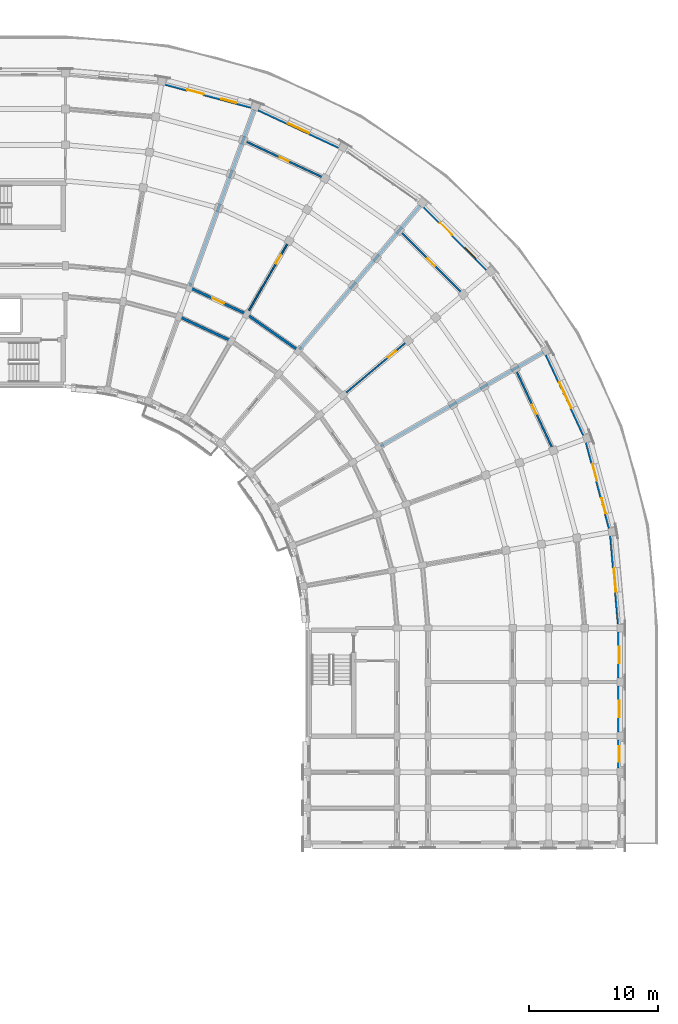
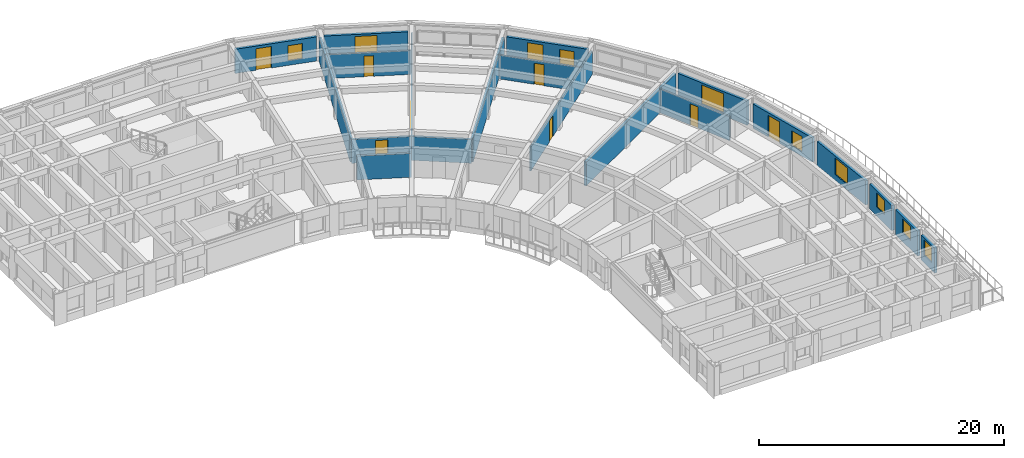
# One storey, part 34 of 53: 20 walls, 9 doors, 9 windows, 18 openings.
"""IFC4 building model written with IfcOpenShell, lengths in metres."""

from ifc_helpers import new_model, si_unit, direction, frame, frame_2d, origin, place, context, subcontext, project, spatial, rectangle, extrude, material, layer, layer_set, type_object, element, fill, save


model = new_model("IFC4")

# Units and contexts
model_context = context("Model", 3, precision=1e-05, world=origin(), true_north=direction((0.0, 1.0)))
body_context = subcontext(model_context, "Body", "Model", "MODEL_VIEW")
ifc_project = project(units=[si_unit("LENGTHUNIT", "METRE"), si_unit("AREAUNIT", "SQUARE_METRE"), si_unit("VOLUMEUNIT", "CUBIC_METRE"), si_unit("PLANEANGLEUNIT", "RADIAN"), si_unit("MASSUNIT", "GRAM", prefix="KILO")], contexts=[model_context])

# Site, building, storey
site_placement = place(None, origin())
site = spatial("IfcSite", under=ifc_project, at=site_placement, CompositionType="ELEMENT")
building_placement = place(site_placement, origin())
building = spatial("IfcBuilding", under=site, at=building_placement, Name="Kiranvali Square Residences", CompositionType="ELEMENT")
storey_placement = place(building_placement, frame((0.0, 0.0, 30.75)))
storey = spatial("IfcBuildingStorey", under=building, at=storey_placement, Name="L09", CompositionType="ELEMENT", Elevation=30.75)

# Wall
ifc_material_1 = material(Name="Autoclaved aerated concrete blockwork masonry", Category="masonry")
ifc_layer_1 = layer(ifc_material_1, 0.199951171875)
ifc_layer_set_1 = layer_set([ifc_layer_1], Name="Autoclaved aerated concrete blockwork masonry")
wall_type_1 = type_object("IfcWallType", Name="WL-COR-200", PredefinedType="STANDARD", material=ifc_layer_set_1)
wall_1_placement = place(storey_placement, frame((128.6240234375, 112.044189453125, 0.0), z_axis=(0.0, 0.0, 1.0), x_axis=(0.906307919131, -0.422617978463, 0.0)))
element("IfcWall", 1, at=wall_1_placement, inside=storey, type_object=wall_type_1, Name="L09 architectural wall WL-L09-B-CCI-2", PredefinedType="STANDARD", context=body_context, shape_type="SweptSolid", body=[
    extrude(rectangle(XDim=4.497314453125, YDim=0.199951171875, at=frame_2d((2.24853515625, 0.0))), origin(), (0.0, 0.0, 1.0), 2.3720703125),
])

# Wall, opening, door
wall_2_placement = place(storey_placement, frame((129.445068359375, 114.29931640625, 0.0), z_axis=(0.0, 0.0, 1.0), x_axis=(0.906302381024, -0.422629854778, 0.0)))
wall_2 = element("IfcWall", 2, at=wall_2_placement, inside=storey, type_object=wall_type_1, Name="L09 architectural wall WL-L09-B-CCO-2", PredefinedType="STANDARD", context=body_context, shape_type="SweptSolid", body=[
    extrude(rectangle(XDim=4.915283203125, YDim=0.199951171875, at=frame_2d((2.45751953125, 0.0))), origin(), (0.0, 0.0, 1.0), 2.3720703125),
])
opening_1_placement = place(wall_2_placement, frame((1.957763671875, 0.0, 0.0)))
opening_1 = element("IfcOpeningElement", 3, at=opening_1_placement, cuts=wall_2, Name="Opening FD-APT-60", PredefinedType="OPENING", context=body_context, shape_type="SweptSolid", body=[
    extrude(rectangle(XDim=1.0, YDim=2.14990234375, at=frame_2d((0.5, 1.074951171875))), frame((0.0, 0.10986328125, 0.0), z_axis=(0.0, -1.0, 0.0), x_axis=(1.0, 0.0, 0.0)), (0.0, 0.0, 1.0), 0.219970703125),
])
ifc_material_2 = material(Name="Fire-rated acoustic hardwood and mineral-core door assembly", Category="wood")
door_type_1 = type_object("IfcDoorType", Name="DR-APT-1000", OperationType="NOTDEFINED", PredefinedType="DOOR", material=ifc_material_2)
door_1_placement = place(opening_1_placement, origin())
door_1 = element("IfcDoor", 4, at=door_1_placement, inside=storey, type_object=door_type_1, Name="L09 door DR-L09-1553 (DR-APT-1000)", OperationType="SINGLE_SWING_LEFT", OverallHeight=2.14990234375, OverallWidth=1.0, PredefinedType="DOOR", context=body_context, shape_type="SweptSolid", body=[
    extrude(rectangle(XDim=1.0, YDim=2.14990234375, at=frame_2d((0.5, 1.074951171875))), frame((0.0, 0.02490234375, 0.0), z_axis=(0.0, -1.0, 0.0), x_axis=(1.0, 0.0, 0.0)), (0.0, 0.0, 1.0), 0.050048828125),
])
fill(opening_1, door_1)

# Walls
wall_3_placement = place(storey_placement, frame((133.89990234375, 112.221923828125, 0.0), z_axis=(0.0, 0.0, 1.0), x_axis=(0.819140911474, -0.573592335331, 0.0)))
element("IfcWall", 5, at=wall_3_placement, inside=storey, type_object=wall_type_1, Name="L09 architectural wall WL-L09-B-CCO-3", PredefinedType="STANDARD", context=body_context, shape_type="SweptSolid", body=[
    extrude(rectangle(XDim=4.915771484375, YDim=0.199951171875, at=frame_2d((2.4580078125, 0.0))), origin(), (0.0, 0.0, 1.0), 2.3720703125),
])
ifc_layer_2 = layer(ifc_material_1, 0.219970703125)
ifc_layer_set_2 = layer_set([ifc_layer_2], Name="Autoclaved aerated concrete blockwork masonry")
wall_type_2 = type_object("IfcWallType", Name="WL-DEM-220", PredefinedType="STANDARD", material=ifc_layer_set_2)
wall_4_placement = place(storey_placement, frame((129.479248046875, 114.393310546875, 0.0), z_axis=(0.0, 0.0, 1.0), x_axis=(0.342015232663, 0.939694408106, 0.0)))
element("IfcWall", 6, at=wall_4_placement, inside=storey, type_object=wall_type_2, Name="L09 architectural wall WL-L09-B-RADO-2", PredefinedType="STANDARD", context=body_context, shape_type="SweptSolid", body=[
    extrude(rectangle(XDim=14.619873046875, YDim=0.219970703125, at=frame_2d((7.31005859375, 0.0))), origin(), (0.0, 0.0, 1.0), 2.3720703125),
])
wall_5_placement = place(storey_placement, frame((137.990966796875, 109.47900390625, 0.0), z_axis=(0.0, 0.0, 1.0), x_axis=(0.642779216656, 0.76605148563, 0.0)))
element("IfcWall", 7, at=wall_5_placement, inside=storey, type_object=wall_type_2, Name="L09 architectural wall WL-L09-B-RADO-4", PredefinedType="STANDARD", context=body_context, shape_type="SweptSolid", body=[
    extrude(rectangle(XDim=14.6201171875, YDim=0.219970703125, at=frame_2d((7.31005859375, 0.0))), origin(), (0.0, 0.0, 1.0), 2.3720703125),
])
wall_6_placement = place(storey_placement, frame((144.30859375, 101.949951171875, 0.0), z_axis=(0.0, 0.0, 1.0), x_axis=(0.866020956416, 0.500007702989, 0.0)))
element("IfcWall", 8, at=wall_6_placement, inside=storey, type_object=wall_type_2, Name="L09 architectural wall WL-L09-B-RADO-6", PredefinedType="STANDARD", context=body_context, shape_type="SweptSolid", body=[
    extrude(rectangle(XDim=14.619873046875, YDim=0.219970703125, at=frame_2d((7.31005859375, 0.0))), origin(), (0.0, 0.0, 1.0), 2.3720703125),
])

# Wall, openings, door, window
ifc_material_3 = material(Name="Breathable lime-rendered clay brick masonry", Category="masonry")
ifc_layer_3 = layer(ifc_material_3, 0.25)
ifc_layer_set_3 = layer_set([ifc_layer_3], Name="Breathable lime-rendered clay brick masonry")
wall_type_3 = type_object("IfcWallType", Name="WL-EXT-250", PredefinedType="STANDARD", material=ifc_layer_set_3)
wall_7_placement = place(storey_placement, frame((127.583740234375, 130.138671875, 0.0), z_axis=(0.0, 0.0, 1.0), x_axis=(0.965921436109, -0.258835428922, 0.0)))
wall_7 = element("IfcWall", 9, at=wall_7_placement, inside=storey, type_object=wall_type_3, Name="L09 exterior wall B-L09-CRV-01", PredefinedType="STANDARD", context=body_context, shape_type="SweptSolid", body=[
    extrude(rectangle(XDim=6.87890625, YDim=0.25, at=frame_2d((3.439453125, 0.0))), origin(), (0.0, 0.0, 1.0), 2.412109375),
])
opening_2_placement = place(wall_7_placement, frame((4.478759765625, 0.0, 0.4619140625)))
opening_2 = element("IfcOpeningElement", 10, at=opening_2_placement, cuts=wall_7, Name="Opening W-06", PredefinedType="OPENING", context=body_context, shape_type="SweptSolid", body=[
    extrude(rectangle(XDim=1.199951171875, YDim=1.5, at=frame_2d((0.60009765625, 0.75))), frame((0.0, 0.135009765625, 0.0), z_axis=(0.0, -1.0, 0.0), x_axis=(1.0, 0.0, 0.0)), (0.0, 0.0, 1.0), 0.27001953125),
])
opening_3_placement = place(wall_7_placement, frame((1.74755859375, 0.0, 0.0)))
opening_3 = element("IfcOpeningElement", 11, at=opening_3_placement, cuts=wall_7, Name="Opening ED-BAL-3", PredefinedType="OPENING", context=body_context, shape_type="SweptSolid", body=[
    extrude(rectangle(XDim=1.320068359375, YDim=2.14990234375, at=frame_2d((0.66015625, 1.074951171875))), frame((0.0, 0.135009765625, 0.0), z_axis=(0.0, -1.0, 0.0), x_axis=(1.0, 0.0, 0.0)), (0.0, 0.0, 1.0), 0.27001953125),
])
ifc_material_4 = material(Name="Anodised bronze aluminium framing", Category="aluminium")
door_type_2 = type_object("IfcDoorType", Name="DR-BAL-1320", OperationType="NOTDEFINED", PredefinedType="DOOR", material=ifc_material_4)
door_2_placement = place(opening_3_placement, origin())
door_2 = element("IfcDoor", 12, at=door_2_placement, inside=storey, type_object=door_type_2, Name="L09 balcony terrace door", OperationType="SINGLE_SWING_LEFT", OverallHeight=2.14990234375, OverallWidth=1.320068359375, PredefinedType="DOOR", context=body_context, shape_type="SweptSolid", body=[
    extrude(rectangle(XDim=1.320068359375, YDim=2.14990234375, at=frame_2d((0.66015625, 1.074951171875))), frame((0.0, 0.02490234375, 0.0), z_axis=(0.0, -1.0, 0.0), x_axis=(1.0, 0.0, 0.0)), (0.0, 0.0, 1.0), 0.050048828125),
])
fill(opening_3, door_2)
ifc_material_5 = material(Name="Solar-control low-e double glazing", Category="glass")
window_type_1 = type_object("IfcWindowType", Name="WIN-RES-1200x1500", PartitioningType="SINGLE_PANEL", PredefinedType="WINDOW", material=ifc_material_5)
window_1_placement = place(opening_2_placement, origin())
window_1 = element("IfcWindow", 13, at=window_1_placement, inside=storey, type_object=window_type_1, Name="L09 recessed window B-L09-CRV-01", OverallHeight=1.5, OverallWidth=1.199951171875, PartitioningType="SINGLE_PANEL", PredefinedType="WINDOW", context=body_context, shape_type="SweptSolid", body=[
    extrude(rectangle(XDim=1.199951171875, YDim=1.5, at=frame_2d((0.60009765625, 0.75))), frame((0.0, 0.030029296875, 0.0), z_axis=(0.0, -1.0, 0.0), x_axis=(1.0, 0.0, 0.0)), (0.0, 0.0, 1.0), 0.06005859375),
])
fill(opening_2, window_1)

# Wall, opening, window
wall_8_placement = place(storey_placement, frame((134.817626953125, 128.143798828125, 0.0), z_axis=(0.0, 0.0, 1.0), x_axis=(0.906302789289, -0.422628979279, 0.0)))
wall_8 = element("IfcWall", 14, at=wall_8_placement, inside=storey, type_object=wall_type_3, Name="L09 exterior wall B-L09-CRV-02", PredefinedType="STANDARD", context=body_context, shape_type="SweptSolid", body=[
    extrude(rectangle(XDim=6.87890625, YDim=0.25, at=frame_2d((3.439453125, 0.0))), origin(), (0.0, 0.0, 1.0), 2.412109375),
])
opening_4_placement = place(wall_8_placement, frame((2.53955078125, 0.0, 0.56201171875)))
opening_4 = element("IfcOpeningElement", 15, at=opening_4_placement, cuts=wall_8, Name="Opening W-04", PredefinedType="OPENING", context=body_context, shape_type="SweptSolid", body=[
    extrude(rectangle(XDim=1.800048828125, YDim=1.64990234375, at=frame_2d((0.89990234375, 0.824951171875))), frame((0.0, 0.135009765625, 0.0), z_axis=(0.0, -1.0, 0.0), x_axis=(1.0, 0.0, 0.0)), (0.0, 0.0, 1.0), 0.27001953125),
])
window_type_2 = type_object("IfcWindowType", Name="WIN-RES-1800x1650", PartitioningType="DOUBLE_PANEL_VERTICAL", PredefinedType="WINDOW", material=ifc_material_5)
window_2_placement = place(opening_4_placement, origin())
window_2 = element("IfcWindow", 16, at=window_2_placement, inside=storey, type_object=window_type_2, Name="L09 recessed window B-L09-CRV-02", OverallHeight=1.64990234375, OverallWidth=1.800048828125, PartitioningType="DOUBLE_PANEL_VERTICAL", PredefinedType="WINDOW", context=body_context, shape_type="SweptSolid", body=[
    extrude(rectangle(XDim=1.800048828125, YDim=1.64990234375, at=frame_2d((0.89990234375, 0.824951171875))), frame((0.0, 0.030029296875, 0.0), z_axis=(0.0, -1.0, 0.0), x_axis=(1.0, 0.0, 0.0)), (0.0, 0.0, 1.0), 0.06005859375),
])
fill(opening_4, window_2)

# Wall, openings, door, window
wall_9_placement = place(storey_placement, frame((147.710205078125, 120.574462890625, 0.0), z_axis=(0.0, 0.0, 1.0), x_axis=(0.707106781187, -0.707106781187, 0.0)))
wall_9 = element("IfcWall", 17, at=wall_9_placement, inside=storey, type_object=wall_type_3, Name="L09 exterior wall B-L09-CRV-04", PredefinedType="STANDARD", context=body_context, shape_type="SweptSolid", body=[
    extrude(rectangle(XDim=6.879150390625, YDim=0.25, at=frame_2d((3.439453125, 0.0))), origin(), (0.0, 0.0, 1.0), 2.412109375),
])
opening_5_placement = place(wall_9_placement, frame((4.478759765625, 0.0, 0.4619140625)))
opening_5 = element("IfcOpeningElement", 18, at=opening_5_placement, cuts=wall_9, Name="Opening W-06", PredefinedType="OPENING", context=body_context, shape_type="SweptSolid", body=[
    extrude(rectangle(XDim=1.199951171875, YDim=1.5, at=frame_2d((0.60009765625, 0.75))), frame((0.0, 0.135009765625, 0.0), z_axis=(0.0, -1.0, 0.0), x_axis=(1.0, 0.0, 0.0)), (0.0, 0.0, 1.0), 0.27001953125),
])
opening_6_placement = place(wall_9_placement, frame((1.74755859375, 0.0, 0.0)))
opening_6 = element("IfcOpeningElement", 19, at=opening_6_placement, cuts=wall_9, Name="Opening ED-BAL-3", PredefinedType="OPENING", context=body_context, shape_type="SweptSolid", body=[
    extrude(rectangle(XDim=1.320068359375, YDim=2.14990234375, at=frame_2d((0.66015625, 1.074951171875))), frame((0.0, 0.135009765625, 0.0), z_axis=(0.0, -1.0, 0.0), x_axis=(1.0, 0.0, 0.0)), (0.0, 0.0, 1.0), 0.27001953125),
])
door_3_placement = place(opening_6_placement, origin())
door_3 = element("IfcDoor", 20, at=door_3_placement, inside=storey, type_object=door_type_2, Name="L09 balcony terrace door", OperationType="SINGLE_SWING_RIGHT", OverallHeight=2.14990234375, OverallWidth=1.320068359375, PredefinedType="DOOR", context=body_context, shape_type="SweptSolid", body=[
    extrude(rectangle(XDim=1.320068359375, YDim=2.14990234375, at=frame_2d((0.66015625, 1.074951171875))), frame((0.0, 0.02490234375, 0.0), z_axis=(0.0, -1.0, 0.0), x_axis=(1.0, 0.0, 0.0)), (0.0, 0.0, 1.0), 0.050048828125),
])
fill(opening_6, door_3)
window_3_placement = place(opening_5_placement, origin())
window_3 = element("IfcWindow", 21, at=window_3_placement, inside=storey, type_object=window_type_1, Name="L09 recessed window B-L09-CRV-04", OverallHeight=1.5, OverallWidth=1.199951171875, PartitioningType="SINGLE_PANEL", PredefinedType="WINDOW", context=body_context, shape_type="SweptSolid", body=[
    extrude(rectangle(XDim=1.199951171875, YDim=1.5, at=frame_2d((0.60009765625, 0.75))), frame((0.0, 0.030029296875, 0.0), z_axis=(0.0, -1.0, 0.0), x_axis=(1.0, 0.0, 0.0)), (0.0, 0.0, 1.0), 0.06005859375),
])
fill(opening_5, window_3)

# Wall, opening, window
wall_10_placement = place(storey_placement, frame((157.236572265625, 109.052001953125, 0.0), z_axis=(0.0, 0.0, 1.0), x_axis=(0.422628979279, -0.906302789289, 0.0)))
wall_10 = element("IfcWall", 22, at=wall_10_placement, inside=storey, type_object=wall_type_3, Name="L09 exterior wall B-L09-CRV-06", PredefinedType="STANDARD", context=body_context, shape_type="SweptSolid", body=[
    extrude(rectangle(XDim=6.87890625, YDim=0.25, at=frame_2d((3.439453125, 0.0))), origin(), (0.0, 0.0, 1.0), 2.412109375),
])
opening_7_placement = place(wall_10_placement, frame((2.339599609375, 0.0, 0.31201171875)))
opening_7 = element("IfcOpeningElement", 23, at=opening_7_placement, cuts=wall_10, Name="Opening W-20", PredefinedType="OPENING", context=body_context, shape_type="SweptSolid", body=[
    extrude(rectangle(XDim=2.199951171875, YDim=1.89990234375, at=frame_2d((1.10009765625, 0.949951171875))), frame((0.0, 0.135009765625, 0.0), z_axis=(0.0, -1.0, 0.0), x_axis=(1.0, 0.0, 0.0)), (0.0, 0.0, 1.0), 0.27001953125),
])
window_type_3 = type_object("IfcWindowType", Name="WIN-TER-2200x1900", PartitioningType="TRIPLE_PANEL_VERTICAL", PredefinedType="WINDOW", material=ifc_material_5)
window_4_placement = place(opening_7_placement, origin())
window_4 = element("IfcWindow", 24, at=window_4_placement, inside=storey, type_object=window_type_3, Name="L09 recessed window B-L09-CRV-06", OverallHeight=1.89990234375, OverallWidth=2.199951171875, PartitioningType="TRIPLE_PANEL_VERTICAL", PredefinedType="WINDOW", context=body_context, shape_type="SweptSolid", body=[
    extrude(rectangle(XDim=2.199951171875, YDim=1.89990234375, at=frame_2d((1.10009765625, 0.949951171875))), frame((0.0, 0.030029296875, 0.0), z_axis=(0.0, -1.0, 0.0), x_axis=(1.0, 0.0, 0.0)), (0.0, 0.0, 1.0), 0.06005859375),
])
fill(opening_7, window_4)

# Wall, openings, door, window
wall_11_placement = place(storey_placement, frame((160.358154296875, 102.228271484375, 0.0), z_axis=(0.0, 0.0, 1.0), x_axis=(0.258835428922, -0.965921436109, 0.0)))
wall_11 = element("IfcWall", 25, at=wall_11_placement, inside=storey, type_object=wall_type_3, Name="L09 exterior wall B-L09-CRV-07", PredefinedType="STANDARD", context=body_context, shape_type="SweptSolid", body=[
    extrude(rectangle(XDim=6.87890625, YDim=0.25, at=frame_2d((3.439453125, 0.0))), origin(), (0.0, 0.0, 1.0), 2.412109375),
])
opening_8_placement = place(wall_11_placement, frame((4.478759765625, 0.0, 0.4619140625)))
opening_8 = element("IfcOpeningElement", 26, at=opening_8_placement, cuts=wall_11, Name="Opening W-06", PredefinedType="OPENING", context=body_context, shape_type="SweptSolid", body=[
    extrude(rectangle(XDim=1.199951171875, YDim=1.5, at=frame_2d((0.60009765625, 0.75))), frame((0.0, 0.135009765625, 0.0), z_axis=(0.0, -1.0, 0.0), x_axis=(1.0, 0.0, 0.0)), (0.0, 0.0, 1.0), 0.27001953125),
])
opening_9_placement = place(wall_11_placement, frame((1.74755859375, 0.0, 0.0)))
opening_9 = element("IfcOpeningElement", 27, at=opening_9_placement, cuts=wall_11, Name="Opening ED-BAL-3", PredefinedType="OPENING", context=body_context, shape_type="SweptSolid", body=[
    extrude(rectangle(XDim=1.320068359375, YDim=2.14990234375, at=frame_2d((0.66015625, 1.074951171875))), frame((0.0, 0.135009765625, 0.0), z_axis=(0.0, -1.0, 0.0), x_axis=(1.0, 0.0, 0.0)), (0.0, 0.0, 1.0), 0.27001953125),
])
door_4_placement = place(opening_9_placement, origin())
door_4 = element("IfcDoor", 28, at=door_4_placement, inside=storey, type_object=door_type_2, Name="L09 balcony terrace door", OperationType="SINGLE_SWING_LEFT", OverallHeight=2.14990234375, OverallWidth=1.320068359375, PredefinedType="DOOR", context=body_context, shape_type="SweptSolid", body=[
    extrude(rectangle(XDim=1.320068359375, YDim=2.14990234375, at=frame_2d((0.66015625, 1.074951171875))), frame((0.0, 0.02490234375, 0.0), z_axis=(0.0, -1.0, 0.0), x_axis=(1.0, 0.0, 0.0)), (0.0, 0.0, 1.0), 0.050048828125),
])
fill(opening_9, door_4)
window_5_placement = place(opening_8_placement, origin())
window_5 = element("IfcWindow", 29, at=window_5_placement, inside=storey, type_object=window_type_1, Name="L09 recessed window B-L09-CRV-07", OverallHeight=1.5, OverallWidth=1.199951171875, PartitioningType="SINGLE_PANEL", PredefinedType="WINDOW", context=body_context, shape_type="SweptSolid", body=[
    extrude(rectangle(XDim=1.199951171875, YDim=1.5, at=frame_2d((0.60009765625, 0.75))), frame((0.0, 0.030029296875, 0.0), z_axis=(0.0, -1.0, 0.0), x_axis=(1.0, 0.0, 0.0)), (0.0, 0.0, 1.0), 0.06005859375),
])
fill(opening_8, window_5)

# Wall, opening, window
wall_12_placement = place(storey_placement, frame((162.24755859375, 94.96630859375, 0.0), z_axis=(0.0, 0.0, 1.0), x_axis=(0.087165629485, -0.996193833065, 0.0)))
wall_12 = element("IfcWall", 30, at=wall_12_placement, inside=storey, type_object=wall_type_3, Name="L09 exterior wall B-L09-CRV-08", PredefinedType="STANDARD", context=body_context, shape_type="SweptSolid", body=[
    extrude(rectangle(XDim=6.87890625, YDim=0.25, at=frame_2d((3.439453125, 0.0))), origin(), (0.0, 0.0, 1.0), 2.412109375),
])
opening_10_placement = place(wall_12_placement, frame((2.53955078125, 0.0, 0.56201171875)))
opening_10 = element("IfcOpeningElement", 31, at=opening_10_placement, cuts=wall_12, Name="Opening W-04", PredefinedType="OPENING", context=body_context, shape_type="SweptSolid", body=[
    extrude(rectangle(XDim=1.800048828125, YDim=1.64990234375, at=frame_2d((0.89990234375, 0.824951171875))), frame((0.0, 0.135009765625, 0.0), z_axis=(0.0, -1.0, 0.0), x_axis=(1.0, 0.0, 0.0)), (0.0, 0.0, 1.0), 0.27001953125),
])
window_6_placement = place(opening_10_placement, origin())
window_6 = element("IfcWindow", 32, at=window_6_placement, inside=storey, type_object=window_type_2, Name="L09 recessed window B-L09-CRV-08", OverallHeight=1.64990234375, OverallWidth=1.800048828125, PartitioningType="DOUBLE_PANEL_VERTICAL", PredefinedType="WINDOW", context=body_context, shape_type="SweptSolid", body=[
    extrude(rectangle(XDim=1.800048828125, YDim=1.64990234375, at=frame_2d((0.89990234375, 0.824951171875))), frame((0.0, 0.030029296875, 0.0), z_axis=(0.0, -1.0, 0.0), x_axis=(1.0, 0.0, 0.0)), (0.0, 0.0, 1.0), 0.06005859375),
])
fill(opening_10, window_6)

wall_13_placement = place(storey_placement, frame((162.875, 87.49658203125, 0.0), z_axis=(0.0, 0.0, 1.0), x_axis=(0.0, -1.0, 0.0)))
wall_13 = element("IfcWall", 33, at=wall_13_placement, inside=storey, type_object=wall_type_3, Name="L09 exterior wall B-L09-A2O-0", PredefinedType="STANDARD", context=body_context, shape_type="SweptSolid", body=[
    extrude(rectangle(XDim=3.593017578125, YDim=0.25, at=frame_2d((1.79638671875, 0.0))), origin(), (0.0, 0.0, 1.0), 2.47998046875),
])
opening_11_placement = place(wall_13_placement, frame((1.146484375, 0.0, 0.8798828125)))
opening_11 = element("IfcOpeningElement", 34, at=opening_11_placement, cuts=wall_13, Name="Opening W-23", PredefinedType="OPENING", context=body_context, shape_type="SweptSolid", body=[
    extrude(rectangle(XDim=1.300048828125, YDim=1.39990234375, at=frame_2d((0.64990234375, 0.699951171875))), frame((0.0, 0.135009765625, 0.0), z_axis=(0.0, -1.0, 0.0), x_axis=(1.0, 0.0, 0.0)), (0.0, 0.0, 1.0), 0.27001953125),
])
window_type_4 = type_object("IfcWindowType", Name="WIN-COR-1300x1400", PartitioningType="DOUBLE_PANEL_HORIZONTAL", PredefinedType="WINDOW", material=ifc_material_5)
window_7_placement = place(opening_11_placement, origin())
window_7 = element("IfcWindow", 35, at=window_7_placement, inside=storey, type_object=window_type_4, Name="L09 recessed window B-L09-A2O-0", OverallHeight=1.39990234375, OverallWidth=1.300048828125, PartitioningType="DOUBLE_PANEL_HORIZONTAL", PredefinedType="WINDOW", context=body_context, shape_type="SweptSolid", body=[
    extrude(rectangle(XDim=1.300048828125, YDim=1.39990234375, at=frame_2d((0.64990234375, 0.699951171875))), frame((0.0, 0.030029296875, 0.0), z_axis=(0.0, -1.0, 0.0), x_axis=(1.0, 0.0, 0.0)), (0.0, 0.0, 1.0), 0.06005859375),
])
fill(opening_11, window_7)

wall_14_placement = place(storey_placement, frame((162.875, 83.29638671875, 0.0), z_axis=(0.0, 0.0, 1.0), x_axis=(0.0, -1.0, 0.0)))
wall_14 = element("IfcWall", 36, at=wall_14_placement, inside=storey, type_object=wall_type_3, Name="L09 exterior wall B-L09-A2O-1", PredefinedType="STANDARD", context=body_context, shape_type="SweptSolid", body=[
    extrude(rectangle(XDim=3.5927734375, YDim=0.25, at=frame_2d((1.79638671875, 0.0))), origin(), (0.0, 0.0, 1.0), 2.47998046875),
])
opening_12_placement = place(wall_14_placement, frame((1.146484375, 0.0, 0.8798828125)))
opening_12 = element("IfcOpeningElement", 37, at=opening_12_placement, cuts=wall_14, Name="Opening W-23", PredefinedType="OPENING", context=body_context, shape_type="SweptSolid", body=[
    extrude(rectangle(XDim=1.300048828125, YDim=1.39990234375, at=frame_2d((0.64990234375, 0.699951171875))), frame((0.0, 0.135009765625, 0.0), z_axis=(0.0, -1.0, 0.0), x_axis=(1.0, 0.0, 0.0)), (0.0, 0.0, 1.0), 0.27001953125),
])
window_8_placement = place(opening_12_placement, origin())
window_8 = element("IfcWindow", 38, at=window_8_placement, inside=storey, type_object=window_type_4, Name="L09 recessed window B-L09-A2O-1", OverallHeight=1.39990234375, OverallWidth=1.300048828125, PartitioningType="DOUBLE_PANEL_HORIZONTAL", PredefinedType="WINDOW", context=body_context, shape_type="SweptSolid", body=[
    extrude(rectangle(XDim=1.300048828125, YDim=1.39990234375, at=frame_2d((0.64990234375, 0.699951171875))), frame((0.0, 0.030029296875, 0.0), z_axis=(0.0, -1.0, 0.0), x_axis=(1.0, 0.0, 0.0)), (0.0, 0.0, 1.0), 0.06005859375),
])
fill(opening_12, window_8)

wall_15_placement = place(storey_placement, frame((162.875, 79.096435546875, 0.0), z_axis=(0.0, 0.0, 1.0), x_axis=(0.0, -1.0, 0.0)))
wall_15 = element("IfcWall", 39, at=wall_15_placement, inside=storey, type_object=wall_type_3, Name="L09 exterior wall B-L09-A2O-2", PredefinedType="STANDARD", context=body_context, shape_type="SweptSolid", body=[
    extrude(rectangle(XDim=2.19287109375, YDim=0.25, at=frame_2d((1.096435546875, 0.0))), origin(), (0.0, 0.0, 1.0), 2.47998046875),
])
opening_13_placement = place(wall_15_placement, frame((0.49658203125, 0.0, 0.780029296875)))
opening_13 = element("IfcOpeningElement", 40, at=opening_13_placement, cuts=wall_15, Name="Opening W-06", PredefinedType="OPENING", context=body_context, shape_type="SweptSolid", body=[
    extrude(rectangle(XDim=1.199951171875, YDim=1.5, at=frame_2d((0.60009765625, 0.75))), frame((0.0, 0.135009765625, 0.0), z_axis=(0.0, -1.0, 0.0), x_axis=(1.0, 0.0, 0.0)), (0.0, 0.0, 1.0), 0.27001953125),
])
window_9_placement = place(opening_13_placement, origin())
window_9 = element("IfcWindow", 41, at=window_9_placement, inside=storey, type_object=window_type_1, Name="L09 recessed window B-L09-A2O-2", OverallHeight=1.5, OverallWidth=1.199951171875, PartitioningType="SINGLE_PANEL", PredefinedType="WINDOW", context=body_context, shape_type="SweptSolid", body=[
    extrude(rectangle(XDim=1.199951171875, YDim=1.5, at=frame_2d((0.60009765625, 0.75))), frame((0.0, 0.030029296875, 0.0), z_axis=(0.0, -1.0, 0.0), x_axis=(1.0, 0.0, 0.0)), (0.0, 0.0, 1.0), 0.06005859375),
])
fill(opening_13, window_9)

# Wall, opening, door
ifc_material_6 = material(Name="Acoustic gypsum board drylined partition", Category="gypsum")
ifc_layer_4 = layer(ifc_material_6, 0.125)
ifc_layer_set_4 = layer_set([ifc_layer_4], Name="Acoustic gypsum board drylined partition")
wall_type_4 = type_object("IfcWallType", Name="WL-PRT-125", PredefinedType="PARTITIONING", material=ifc_layer_set_4)
wall_16_placement = place(storey_placement, frame((133.949951171875, 112.30859375, 0.0), z_axis=(0.0, 0.0, 1.0), x_axis=(0.500007702989, 0.866020956416, 0.0)))
wall_16 = element("IfcWall", 42, at=wall_16_placement, inside=storey, type_object=wall_type_4, Name="L09 architectural wall WL-L09-B-RADO-3", PredefinedType="PARTITIONING", context=body_context, shape_type="SweptSolid", body=[
    extrude(rectangle(XDim=14.619873046875, YDim=0.125, at=frame_2d((7.31005859375, 0.0))), origin(), (0.0, 0.0, 1.0), 2.3720703125),
])
opening_14_placement = place(wall_16_placement, frame((4.449462890625, 0.0, 0.0)))
opening_14 = element("IfcOpeningElement", 43, at=opening_14_placement, cuts=wall_16, Name="Opening ID-WET", PredefinedType="OPENING", context=body_context, shape_type="SweptSolid", body=[
    extrude(rectangle(XDim=0.800048828125, YDim=2.10009765625, at=frame_2d((0.39990234375, 1.050048828125))), frame((0.0, 0.072509765625, 0.0), z_axis=(0.0, -1.0, 0.0), x_axis=(1.0, 0.0, 0.0)), (0.0, 0.0, 1.0), 0.14501953125),
])
ifc_material_7 = material(Name="Solid seasoned teak hardwood joinery", Category="wood")
door_type_3 = type_object("IfcDoorType", Name="DR-WET-800", OperationType="NOTDEFINED", PredefinedType="DOOR", material=ifc_material_7)
door_5_placement = place(opening_14_placement, frame((0.800048828125, 0.0, 0.0), z_axis=(0.0, 0.0, 1.0), x_axis=(-1.0, 0.0, 0.0)))
door_5 = element("IfcDoor", 44, at=door_5_placement, inside=storey, type_object=door_type_3, Name="L09 door DR-L09-1544 (DR-WET-800)", OperationType="SINGLE_SWING_RIGHT", OverallHeight=2.10009765625, OverallWidth=0.800048828125, PredefinedType="DOOR", context=body_context, shape_type="SweptSolid", body=[
    extrude(rectangle(XDim=0.800048828125, YDim=2.10009765625, at=frame_2d((0.39990234375, 1.050048828125))), frame((0.0, 0.02490234375, 0.0), z_axis=(0.0, -1.0, 0.0), x_axis=(1.0, 0.0, 0.0)), (0.0, 0.0, 1.0), 0.050048828125),
])
fill(opening_14, door_5)

wall_17_placement = place(storey_placement, frame((141.47900390625, 105.990966796875, 0.0), z_axis=(0.0, 0.0, 1.0), x_axis=(0.76605148563, 0.642779216656, 0.0)))
wall_17 = element("IfcWall", 45, at=wall_17_placement, inside=storey, type_object=wall_type_4, Name="L09 architectural wall WL-L09-B-RADO-5", PredefinedType="PARTITIONING", context=body_context, shape_type="SweptSolid", body=[
    extrude(rectangle(XDim=14.6201171875, YDim=0.125, at=frame_2d((7.31005859375, 0.0))), origin(), (0.0, 0.0, 1.0), 2.3720703125),
])
opening_15_placement = place(wall_17_placement, frame((4.449462890625, 0.0, 0.0)))
opening_15 = element("IfcOpeningElement", 46, at=opening_15_placement, cuts=wall_17, Name="Opening ID-WET", PredefinedType="OPENING", context=body_context, shape_type="SweptSolid", body=[
    extrude(rectangle(XDim=0.800048828125, YDim=2.10009765625, at=frame_2d((0.39990234375, 1.050048828125))), frame((0.0, 0.072509765625, 0.0), z_axis=(0.0, -1.0, 0.0), x_axis=(1.0, 0.0, 0.0)), (0.0, 0.0, 1.0), 0.14501953125),
])
door_6_placement = place(opening_15_placement, frame((0.800048828125, 0.0, 0.0), z_axis=(0.0, 0.0, 1.0), x_axis=(-1.0, 0.0, 0.0)))
door_6 = element("IfcDoor", 47, at=door_6_placement, inside=storey, type_object=door_type_3, Name="L09 door DR-L09-1546 (DR-WET-800)", OperationType="SINGLE_SWING_RIGHT", OverallHeight=2.10009765625, OverallWidth=0.800048828125, PredefinedType="DOOR", context=body_context, shape_type="SweptSolid", body=[
    extrude(rectangle(XDim=0.800048828125, YDim=2.10009765625, at=frame_2d((0.39990234375, 1.050048828125))), frame((0.0, 0.02490234375, 0.0), z_axis=(0.0, -1.0, 0.0), x_axis=(1.0, 0.0, 0.0)), (0.0, 0.0, 1.0), 0.050048828125),
])
fill(opening_15, door_6)

ifc_layer_5 = layer(ifc_material_1, 0.14990234375)
ifc_layer_set_5 = layer_set([ifc_layer_5], Name="Autoclaved aerated concrete blockwork masonry")
wall_type_5 = type_object("IfcWallType", Name="WL-WET-150", PredefinedType="PLUMBINGWALL", material=ifc_layer_set_5)
wall_18_placement = place(storey_placement, frame((133.61767578125, 125.763671875, 0.0), z_axis=(0.0, 0.0, 1.0), x_axis=(0.906297360311, -0.422640621205, 0.0)))
wall_18 = element("IfcWall", 48, at=wall_18_placement, inside=storey, type_object=wall_type_5, Name="L09 architectural wall WL-L09-B-CWET-2", PredefinedType="PLUMBINGWALL", context=body_context, shape_type="SweptSolid", body=[
    extrude(rectangle(XDim=7.042236328125, YDim=0.14990234375, at=frame_2d((3.52099609375, 0.0))), origin(), (0.0, 0.0, 1.0), 2.3720703125),
])
opening_16_placement = place(wall_18_placement, frame((3.14111328125, 0.0, 0.0)))
opening_16 = element("IfcOpeningElement", 49, at=opening_16_placement, cuts=wall_18, Name="Opening ID-WET0", PredefinedType="OPENING", context=body_context, shape_type="SweptSolid", body=[
    extrude(rectangle(XDim=0.760009765625, YDim=2.050048828125, at=frame_2d((0.3798828125, 1.02490234375))), frame((0.0, 0.0849609375, 0.0), z_axis=(0.0, -1.0, 0.0), x_axis=(1.0, 0.0, 0.0)), (0.0, 0.0, 1.0), 0.169921875),
])
door_type_4 = type_object("IfcDoorType", Name="DR-WET-760", OperationType="NOTDEFINED", PredefinedType="DOOR", material=ifc_material_7)
door_7_placement = place(opening_16_placement, frame((0.760009765625, 0.0, 0.0), z_axis=(0.0, 0.0, 1.0), x_axis=(-1.0, 0.0, 0.0)))
door_7 = element("IfcDoor", 50, at=door_7_placement, inside=storey, type_object=door_type_4, Name="L09 door DR-L09-1554 (DR-WET-760)", OperationType="SINGLE_SWING_RIGHT", OverallHeight=2.050048828125, OverallWidth=0.760009765625, PredefinedType="DOOR", context=body_context, shape_type="SweptSolid", body=[
    extrude(rectangle(XDim=0.760009765625, YDim=2.050048828125, at=frame_2d((0.3798828125, 1.02490234375))), frame((0.0, 0.02490234375, 0.0), z_axis=(0.0, -1.0, 0.0), x_axis=(1.0, 0.0, 0.0)), (0.0, 0.0, 1.0), 0.050048828125),
])
fill(opening_16, door_7)

wall_19_placement = place(storey_placement, frame((145.7685546875, 118.748291015625, 0.0), z_axis=(0.0, 0.0, 1.0), x_axis=(0.707106781187, -0.707106781187, 0.0)))
wall_19 = element("IfcWall", 51, at=wall_19_placement, inside=storey, type_object=wall_type_5, Name="L09 architectural wall WL-L09-B-CWET-4", PredefinedType="PLUMBINGWALL", context=body_context, shape_type="SweptSolid", body=[
    extrude(rectangle(XDim=7.04248046875, YDim=0.14990234375, at=frame_2d((3.521240234375, 0.0))), origin(), (0.0, 0.0, 1.0), 2.3720703125),
])
opening_17_placement = place(wall_19_placement, frame((3.10107421875, 0.0, 0.0)))
opening_17 = element("IfcOpeningElement", 52, at=opening_17_placement, cuts=wall_19, Name="Opening ID-WET2", PredefinedType="OPENING", context=body_context, shape_type="SweptSolid", body=[
    extrude(rectangle(XDim=0.840087890625, YDim=2.10009765625, at=frame_2d((0.419921875, 1.050048828125))), frame((0.0, 0.0849609375, 0.0), z_axis=(0.0, -1.0, 0.0), x_axis=(1.0, 0.0, 0.0)), (0.0, 0.0, 1.0), 0.169921875),
])
door_type_5 = type_object("IfcDoorType", Name="DR-WET-840", OperationType="NOTDEFINED", PredefinedType="DOOR", material=ifc_material_7)
door_8_placement = place(opening_17_placement, frame((0.840087890625, 0.0, 0.0), z_axis=(0.0, 0.0, 1.0), x_axis=(-1.0, 0.0, 0.0)))
door_8 = element("IfcDoor", 53, at=door_8_placement, inside=storey, type_object=door_type_5, Name="L09 door DR-L09-1556 (DR-WET-840)", OperationType="SINGLE_SWING_RIGHT", OverallHeight=2.10009765625, OverallWidth=0.840087890625, PredefinedType="DOOR", context=body_context, shape_type="SweptSolid", body=[
    extrude(rectangle(XDim=0.840087890625, YDim=2.10009765625, at=frame_2d((0.419921875, 1.050048828125))), frame((0.0, 0.02490234375, 0.0), z_axis=(0.0, -1.0, 0.0), x_axis=(1.0, 0.0, 0.0)), (0.0, 0.0, 1.0), 0.050048828125),
])
fill(opening_17, door_8)

wall_20_placement = place(storey_placement, frame((154.787353515625, 108.0, 0.0), z_axis=(0.0, 0.0, 1.0), x_axis=(0.422640621205, -0.906297360311, 0.0)))
wall_20 = element("IfcWall", 54, at=wall_20_placement, inside=storey, type_object=wall_type_5, Name="L09 architectural wall WL-L09-B-CWET-6", PredefinedType="PLUMBINGWALL", context=body_context, shape_type="SweptSolid", body=[
    extrude(rectangle(XDim=7.042236328125, YDim=0.14990234375, at=frame_2d((3.52099609375, 0.0))), origin(), (0.0, 0.0, 1.0), 2.3720703125),
])
opening_18_placement = place(wall_20_placement, frame((3.12109375, 0.0, 0.0)))
opening_18 = element("IfcOpeningElement", 55, at=opening_18_placement, cuts=wall_20, Name="Opening ID-WET", PredefinedType="OPENING", context=body_context, shape_type="SweptSolid", body=[
    extrude(rectangle(XDim=0.800048828125, YDim=2.10009765625, at=frame_2d((0.39990234375, 1.050048828125))), frame((0.0, 0.0849609375, 0.0), z_axis=(0.0, -1.0, 0.0), x_axis=(1.0, 0.0, 0.0)), (0.0, 0.0, 1.0), 0.169921875),
])
door_9_placement = place(opening_18_placement, frame((0.800048828125, 0.0, 0.0), z_axis=(0.0, 0.0, 1.0), x_axis=(-1.0, 0.0, 0.0)))
door_9 = element("IfcDoor", 56, at=door_9_placement, inside=storey, type_object=door_type_3, Name="L09 door DR-L09-1558 (DR-WET-800)", OperationType="SINGLE_SWING_RIGHT", OverallHeight=2.10009765625, OverallWidth=0.800048828125, PredefinedType="DOOR", context=body_context, shape_type="SweptSolid", body=[
    extrude(rectangle(XDim=0.800048828125, YDim=2.10009765625, at=frame_2d((0.39990234375, 1.050048828125))), frame((0.0, 0.02490234375, 0.0), z_axis=(0.0, -1.0, 0.0), x_axis=(1.0, 0.0, 0.0)), (0.0, 0.0, 1.0), 0.050048828125),
])
fill(opening_18, door_9)

save(model, "model.ifc")
